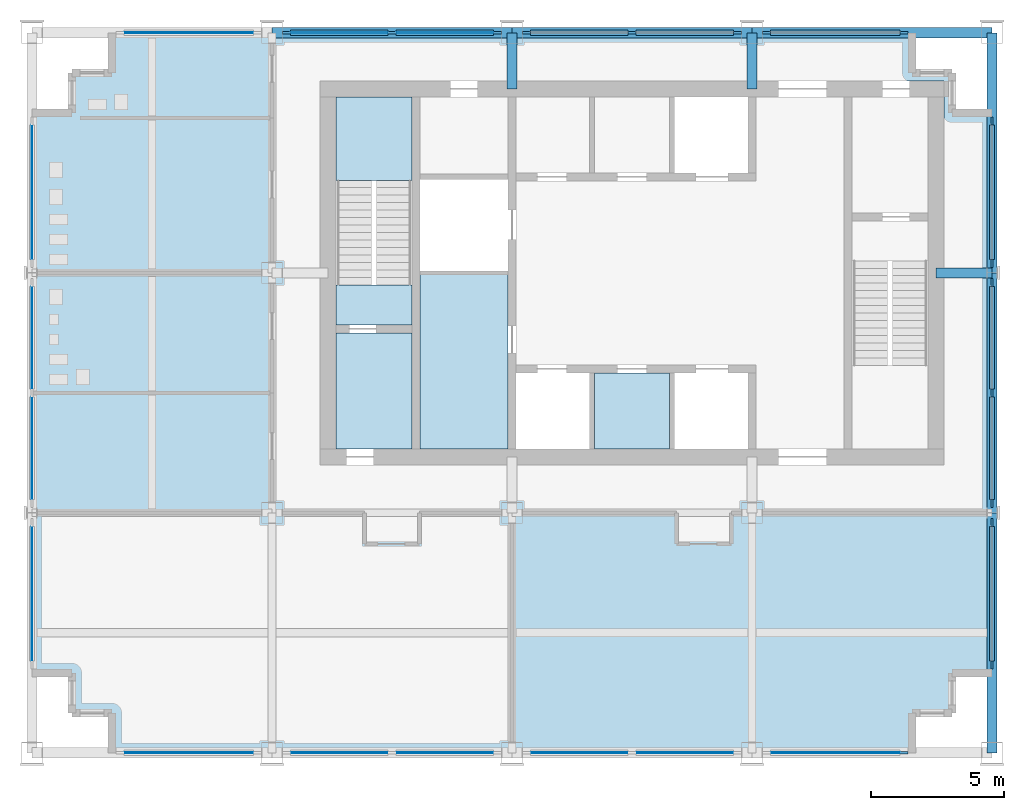
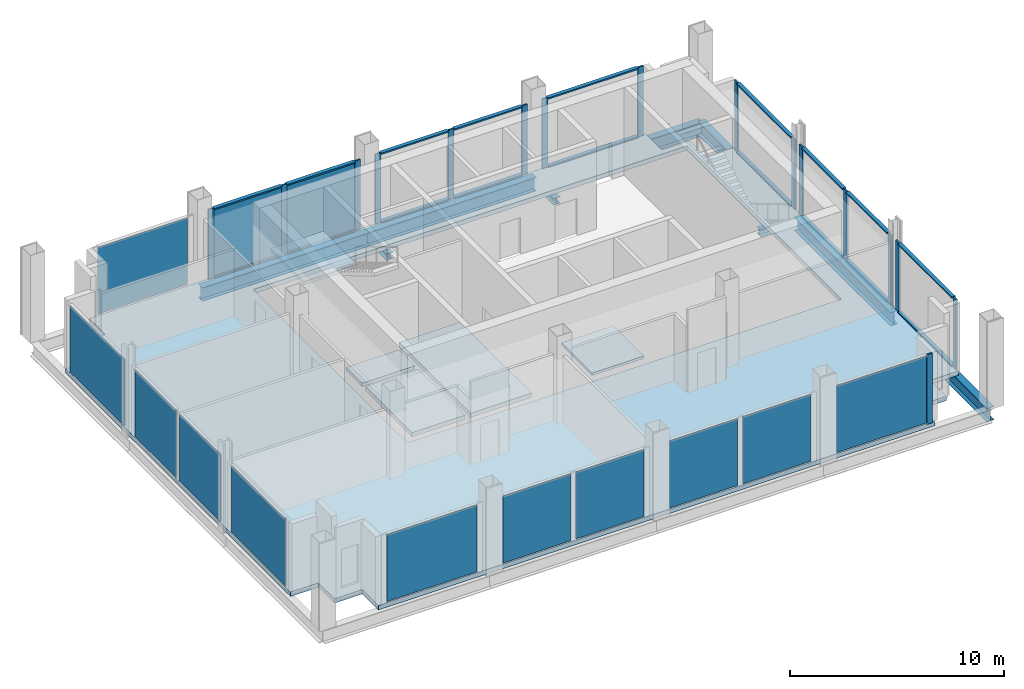
# One storey, part 2 of 7: 37 members, 13 plates, 6 beams, 6 slabs, 15 elements without a shape of their own.
"""IFC4 building model written with IfcOpenShell, lengths in metres."""

from ifc_helpers import new_model, si_unit, direction, frame, origin, origin_2d, place, context, subcontext, project, spatial, polyline, rectangle, i_section, outline, extrude, material, layer, layer_set, material_profile, profile_set, type_object, element, aggregate, save


model = new_model("IFC4")

# Units and contexts
model_context = context("Model", 3, precision=1e-05, world=origin(), true_north=direction((0.0, 1.0)))
body_context = subcontext(model_context, "Body", "Model", "MODEL_VIEW")
ifc_project = project(units=[si_unit("LENGTHUNIT", "METRE"), si_unit("AREAUNIT", "SQUARE_METRE"), si_unit("VOLUMEUNIT", "CUBIC_METRE"), si_unit("PLANEANGLEUNIT", "RADIAN"), si_unit("MASSUNIT", "GRAM", prefix="KILO")], contexts=[model_context])

# Site, building, storey
site_placement = place(None, origin())
site = spatial("IfcSite", under=ifc_project, at=site_placement, CompositionType="ELEMENT")
building_placement = place(site_placement, origin())
building = spatial("IfcBuilding", under=site, at=building_placement, Name="Loomwork Tower", CompositionType="ELEMENT")
storey_placement = place(building_placement, frame((0.0, 0.0, 269.800048828125)))
storey = spatial("IfcBuildingStorey", under=building, at=storey_placement, Name="L74", CompositionType="ELEMENT", Elevation=269.800048828125)

# Members
ifc_material_1 = material(Name="Steel ASTM A992", Category="steel")
ifc_material_profile_1 = material_profile(ifc_material_1, i_section(OverallWidth=0.373291015625, OverallDepth=0.373291015625, WebThickness=0.016357421875, FlangeThickness=0.026123046875, at=origin_2d()), Name="W14x132")
ifc_profile_set_1 = profile_set([ifc_material_profile_1], Name="Steel ASTM A992")
member_type_1 = type_object("IfcMemberType", Name="CORE LINK STRUT W14x132", PredefinedType="STRUT", material=ifc_profile_set_1)
for number, where, z_axis, x_axis, name in (
    (1, (18.0, 27.0, -0.436767578125), (0.0, -1.0, 0.0), (1.0, 0.0, 0.0), "Core link strut G/4-18.000,24.900 L74"),
    (2, (27.0, 27.0, -0.436767578125), (0.0, -1.0, 0.0), (1.0, 0.0, 0.0), "Core link strut G/5-27.000,24.900 L74"),
    (3, (36.0, 18.0, -0.436767578125), (-1.0, 0.0, 0.0), (0.0, -1.0, 0.0), "Core link strut F/6-33.900,18.000 L74"),
):
    element("IfcMember", number, at=place(storey_placement, frame(where, z_axis=z_axis, x_axis=x_axis)), inside=storey, type_object=member_type_1, Name=name, PredefinedType="STRUT", context=body_context, shape_type="SweptSolid", body=[
        extrude(i_section(OverallWidth=0.373291015625, OverallDepth=0.373291015625, WebThickness=0.016357421875, FlangeThickness=0.026123046875, at=origin_2d()), origin(), (0.0, 0.0, 1.0), 2.10009765625),
    ])

# Beams
ifc_material_2 = material(Name="Steel ASTM A992", Category="steel")
ifc_material_profile_2 = material_profile(ifc_material_2, i_section(OverallWidth=0.381103515625, OverallDepth=0.77978515625, WebThickness=0.01806640625, FlangeThickness=0.0302734375, at=origin_2d()), Name="W30x191")
ifc_profile_set_2 = profile_set([ifc_material_profile_2], Name="Steel ASTM A992")
beam_type = type_object("IfcBeamType", Name="SPANDREL GIRDER W30x191", PredefinedType="SPANDREL", material=ifc_profile_set_2)
for number, where, z_axis, x_axis, name in (
    (4, (9.0, 27.0, -0.639892578125), (1.0, 0.0, 0.0), (0.0, 1.0, 0.0), "Spandrel Girder G/3-G/4 L74"),
    (5, (18.0, 27.0, -0.639892578125), (1.0, 0.0, 0.0), (0.0, 1.0, 0.0), "Spandrel Girder G/4-G/5 L74"),
    (6, (27.0, 27.0, -0.639892578125), (1.0, 0.0, 0.0), (0.0, 1.0, 0.0), "Spandrel Girder G/5-G/6 L74"),
    (7, (36.0, 0.0, -0.639892578125), (0.0, 1.0, 0.0), (-1.0, 0.0, 0.0), "Spandrel Girder D/6-E/6 L74"),
    (8, (36.0, 9.0, -0.639892578125), (0.0, 1.0, 0.0), (-1.0, 0.0, 0.0), "Spandrel Girder E/6-F/6 L74"),
    (9, (36.0, 18.0, -0.639892578125), (0.0, 1.0, 0.0), (-1.0, 0.0, 0.0), "Spandrel Girder F/6-G/6 L74"),
):
    element("IfcBeam", number, at=place(storey_placement, frame(where, z_axis=z_axis, x_axis=x_axis)), inside=storey, type_object=beam_type, Name=name, PredefinedType="SPANDREL", context=body_context, shape_type="SweptSolid", body=[
        extrude(i_section(OverallWidth=0.381103515625, OverallDepth=0.77978515625, WebThickness=0.01806640625, FlangeThickness=0.0302734375, at=origin_2d()), origin(), (0.0, 0.0, 1.0), 9.0),
    ])

# Curtain wall, member
ifc_material_3 = material(Name="Aluminium curtain wall frame", Category="aluminium")
curtain_wall_type = type_object("IfcCurtainWallType", Name="Sky bar glazing", PredefinedType="NOTDEFINED", material=ifc_material_3)
curtain_wall_1_placement = place(storey_placement, origin())
curtain_wall_1 = element("IfcCurtainWall", 10, at=curtain_wall_1_placement, inside=storey, type_object=curtain_wall_type, Name="Sky bar glazing cw/S-27", PredefinedType="NOTDEFINED")
ifc_material_4 = material(Name="Aluminium curtain wall frame", Category="aluminium")
ifc_material_profile_3 = material_profile(ifc_material_4, rectangle(XDim=0.080078125, YDim=0.300048828125, at=origin_2d()), Name="AL 80x300")
ifc_profile_set_3 = profile_set([ifc_material_profile_3], Name="Aluminium curtain wall frame")
member_type_2 = type_object("IfcMemberType", Name="Sky bar glazing mullion", PredefinedType="MULLION", material=ifc_profile_set_3)
member_1_placement = place(storey_placement, frame((32.699951171875, 0.0, 0.0), z_axis=(0.0, 0.0, 1.0), x_axis=(0.0, 1.0, 0.0)))
member_1 = element("IfcMember", 11, at=member_1_placement, type_object=member_type_2, Name="CW5 mullion 2", PredefinedType="MULLION", context=body_context, shape_type="SweptSolid", body=[
    extrude(rectangle(XDim=0.080078125, YDim=0.300048828125, at=origin_2d()), origin(), (0.0, 0.0, 1.0), 3.97021484375),
])

# Curtain wall, members
curtain_wall_2_placement = place(storey_placement, origin())
curtain_wall_2 = element("IfcCurtainWall", 12, at=curtain_wall_2_placement, inside=storey, type_object=curtain_wall_type, Name="Sky bar glazing cw/N-9", PredefinedType="NOTDEFINED")
member_2_placement = place(storey_placement, frame((17.449951171875, 27.0, 0.0), z_axis=(0.0, 0.0, 1.0), x_axis=(0.0, -1.0, 0.0)))
member_2 = element("IfcMember", 13, at=member_2_placement, type_object=member_type_2, Name="CW5 mullion 1", PredefinedType="MULLION", context=body_context, shape_type="SweptSolid", body=[
    extrude(rectangle(XDim=0.080078125, YDim=0.300048828125, at=origin_2d()), origin(), (0.0, 0.0, 1.0), 3.97021484375),
])
member_3_placement = place(storey_placement, frame((13.5, 27.0, 0.0), z_axis=(0.0, 0.0, 1.0), x_axis=(0.0, -1.0, 0.0)))
member_3 = element("IfcMember", 14, at=member_3_placement, type_object=member_type_2, Name="CW5 mullion 2", PredefinedType="MULLION", context=body_context, shape_type="SweptSolid", body=[
    extrude(rectangle(XDim=0.080078125, YDim=0.300048828125, at=origin_2d()), origin(), (0.0, 0.0, 1.0), 3.97021484375),
])
member_4_placement = place(storey_placement, frame((9.550048828125, 27.0, 0.0), z_axis=(0.0, 0.0, 1.0), x_axis=(0.0, -1.0, 0.0)))
member_4 = element("IfcMember", 15, at=member_4_placement, type_object=member_type_2, Name="CW5 mullion 3", PredefinedType="MULLION", context=body_context, shape_type="SweptSolid", body=[
    extrude(rectangle(XDim=0.080078125, YDim=0.300048828125, at=origin_2d()), origin(), (0.0, 0.0, 1.0), 3.97021484375),
])

curtain_wall_3_placement = place(storey_placement, origin())
curtain_wall_3 = element("IfcCurtainWall", 16, at=curtain_wall_3_placement, inside=storey, type_object=curtain_wall_type, Name="Sky bar glazing cw/N-18", PredefinedType="NOTDEFINED")
member_5_placement = place(storey_placement, frame((26.449951171875, 27.0, 0.0), z_axis=(0.0, 0.0, 1.0), x_axis=(0.0, -1.0, 0.0)))
member_5 = element("IfcMember", 17, at=member_5_placement, type_object=member_type_2, Name="CW5 mullion 1", PredefinedType="MULLION", context=body_context, shape_type="SweptSolid", body=[
    extrude(rectangle(XDim=0.080078125, YDim=0.300048828125, at=origin_2d()), origin(), (0.0, 0.0, 1.0), 3.97021484375),
])
member_6_placement = place(storey_placement, frame((22.5, 27.0, 0.0), z_axis=(0.0, 0.0, 1.0), x_axis=(0.0, -1.0, 0.0)))
member_6 = element("IfcMember", 18, at=member_6_placement, type_object=member_type_2, Name="CW5 mullion 2", PredefinedType="MULLION", context=body_context, shape_type="SweptSolid", body=[
    extrude(rectangle(XDim=0.080078125, YDim=0.300048828125, at=origin_2d()), origin(), (0.0, 0.0, 1.0), 3.97021484375),
])
member_7_placement = place(storey_placement, frame((18.550048828125, 27.0, 0.0), z_axis=(0.0, 0.0, 1.0), x_axis=(0.0, -1.0, 0.0)))
member_7 = element("IfcMember", 19, at=member_7_placement, type_object=member_type_2, Name="CW5 mullion 3", PredefinedType="MULLION", context=body_context, shape_type="SweptSolid", body=[
    extrude(rectangle(XDim=0.080078125, YDim=0.300048828125, at=origin_2d()), origin(), (0.0, 0.0, 1.0), 3.97021484375),
])

curtain_wall_4_placement = place(storey_placement, origin())
curtain_wall_4 = element("IfcCurtainWall", 20, at=curtain_wall_4_placement, inside=storey, type_object=curtain_wall_type, Name="Sky bar glazing cw/N-27", PredefinedType="NOTDEFINED")
member_8_placement = place(storey_placement, frame((32.699951171875, 27.0, 0.0), z_axis=(0.0, 0.0, 1.0), x_axis=(0.0, -1.0, 0.0)))
member_8 = element("IfcMember", 21, at=member_8_placement, type_object=member_type_2, Name="CW5 mullion 1", PredefinedType="MULLION", context=body_context, shape_type="SweptSolid", body=[
    extrude(rectangle(XDim=0.080078125, YDim=0.300048828125, at=origin_2d()), origin(), (0.0, 0.0, 1.0), 3.97021484375),
])
member_9_placement = place(storey_placement, frame((27.550048828125, 27.0, 0.0), z_axis=(0.0, 0.0, 1.0), x_axis=(0.0, -1.0, 0.0)))
member_9 = element("IfcMember", 22, at=member_9_placement, type_object=member_type_2, Name="CW5 mullion 2", PredefinedType="MULLION", context=body_context, shape_type="SweptSolid", body=[
    extrude(rectangle(XDim=0.080078125, YDim=0.300048828125, at=origin_2d()), origin(), (0.0, 0.0, 1.0), 3.97021484375),
])

curtain_wall_5_placement = place(storey_placement, origin())
curtain_wall_5 = element("IfcCurtainWall", 23, at=curtain_wall_5_placement, inside=storey, type_object=curtain_wall_type, Name="Sky bar glazing cw/E-0", PredefinedType="NOTDEFINED")
member_10_placement = place(storey_placement, frame((36.0, 3.300048828125, 0.0), z_axis=(0.0, 0.0, 1.0), x_axis=(-1.0, 0.0, 0.0)))
member_10 = element("IfcMember", 24, at=member_10_placement, type_object=member_type_2, Name="CW5 mullion 1", PredefinedType="MULLION", context=body_context, shape_type="SweptSolid", body=[
    extrude(rectangle(XDim=0.080078125, YDim=0.300048828125, at=origin_2d()), origin(), (0.0, 0.0, 1.0), 3.97021484375),
])
member_11_placement = place(storey_placement, frame((36.0, 8.6455078125, 0.0), z_axis=(0.0, 0.0, 1.0), x_axis=(-1.0, 0.0, 0.0)))
member_11 = element("IfcMember", 25, at=member_11_placement, type_object=member_type_2, Name="CW5 mullion 2", PredefinedType="MULLION", context=body_context, shape_type="SweptSolid", body=[
    extrude(rectangle(XDim=0.080078125, YDim=0.300048828125, at=origin_2d()), origin(), (0.0, 0.0, 1.0), 3.97021484375),
])

curtain_wall_6_placement = place(storey_placement, origin())
curtain_wall_6 = element("IfcCurtainWall", 26, at=curtain_wall_6_placement, inside=storey, type_object=curtain_wall_type, Name="Sky bar glazing cw/E-9", PredefinedType="NOTDEFINED")
member_12_placement = place(storey_placement, frame((36.0, 9.3544921875, 0.0), z_axis=(0.0, 0.0, 1.0), x_axis=(-1.0, 0.0, 0.0)))
member_12 = element("IfcMember", 27, at=member_12_placement, type_object=member_type_2, Name="CW5 mullion 1", PredefinedType="MULLION", context=body_context, shape_type="SweptSolid", body=[
    extrude(rectangle(XDim=0.080078125, YDim=0.300048828125, at=origin_2d()), origin(), (0.0, 0.0, 1.0), 3.97021484375),
])
member_13_placement = place(storey_placement, frame((36.0, 13.5, 0.0), z_axis=(0.0, 0.0, 1.0), x_axis=(-1.0, 0.0, 0.0)))
member_13 = element("IfcMember", 28, at=member_13_placement, type_object=member_type_2, Name="CW5 mullion 2", PredefinedType="MULLION", context=body_context, shape_type="SweptSolid", body=[
    extrude(rectangle(XDim=0.080078125, YDim=0.300048828125, at=origin_2d()), origin(), (0.0, 0.0, 1.0), 3.97021484375),
])
member_14_placement = place(storey_placement, frame((36.0, 17.6455078125, 0.0), z_axis=(0.0, 0.0, 1.0), x_axis=(-1.0, 0.0, 0.0)))
member_14 = element("IfcMember", 29, at=member_14_placement, type_object=member_type_2, Name="CW5 mullion 3", PredefinedType="MULLION", context=body_context, shape_type="SweptSolid", body=[
    extrude(rectangle(XDim=0.080078125, YDim=0.300048828125, at=origin_2d()), origin(), (0.0, 0.0, 1.0), 3.97021484375),
])

curtain_wall_7_placement = place(storey_placement, origin())
curtain_wall_7 = element("IfcCurtainWall", 30, at=curtain_wall_7_placement, inside=storey, type_object=curtain_wall_type, Name="Sky bar glazing cw/E-18", PredefinedType="NOTDEFINED")
member_15_placement = place(storey_placement, frame((36.0, 18.3544921875, 0.0), z_axis=(0.0, 0.0, 1.0), x_axis=(-1.0, 0.0, 0.0)))
member_15 = element("IfcMember", 31, at=member_15_placement, type_object=member_type_2, Name="CW5 mullion 1", PredefinedType="MULLION", context=body_context, shape_type="SweptSolid", body=[
    extrude(rectangle(XDim=0.080078125, YDim=0.300048828125, at=origin_2d()), origin(), (0.0, 0.0, 1.0), 3.97021484375),
])
member_16_placement = place(storey_placement, frame((36.0, 23.699951171875, 0.0), z_axis=(0.0, 0.0, 1.0), x_axis=(-1.0, 0.0, 0.0)))
member_16 = element("IfcMember", 32, at=member_16_placement, type_object=member_type_2, Name="CW5 mullion 2", PredefinedType="MULLION", context=body_context, shape_type="SweptSolid", body=[
    extrude(rectangle(XDim=0.080078125, YDim=0.300048828125, at=origin_2d()), origin(), (0.0, 0.0, 1.0), 3.97021484375),
])

# Member
ifc_material_5 = material(Name="Aluminium curtain wall frame", Category="aluminium")
ifc_material_profile_4 = material_profile(ifc_material_5, rectangle(XDim=0.199951171875, YDim=0.080078125, at=origin_2d()), Name="AL 80x200")
ifc_profile_set_4 = profile_set([ifc_material_profile_4], Name="Aluminium curtain wall frame")
member_type_3 = type_object("IfcMemberType", Name="Sky bar glazing transom", PredefinedType="USERDEFINED", material=ifc_profile_set_4)
member_17_placement = place(storey_placement, frame((17.300048828125, 27.0, 0.0400390625), z_axis=(-1.0, 0.0, 0.0), x_axis=(0.0, -1.0, 0.0)))
member_17 = element("IfcMember", 33, at=member_17_placement, type_object=member_type_3, Name="CW5 transom 1.1", ObjectType="TRANSOM", PredefinedType="USERDEFINED", context=body_context, shape_type="SweptSolid", body=[
    extrude(rectangle(XDim=0.199951171875, YDim=0.080078125, at=origin_2d()), origin(), (0.0, 0.0, 1.0), 3.650146484375),
])

member_18_placement = place(storey_placement, frame((17.300048828125, 27.0, 3.93017578125), z_axis=(-1.0, 0.0, 0.0), x_axis=(0.0, -1.0, 0.0)))
member_18 = element("IfcMember", 34, at=member_18_placement, type_object=member_type_3, Name="CW5 transom 1.2", ObjectType="TRANSOM", PredefinedType="USERDEFINED", context=body_context, shape_type="SweptSolid", body=[
    extrude(rectangle(XDim=0.199951171875, YDim=0.080078125, at=origin_2d()), origin(), (0.0, 0.0, 1.0), 3.650146484375),
])

member_19_placement = place(storey_placement, frame((13.35009765625, 27.0, 0.0400390625), z_axis=(-1.0, 0.0, 0.0), x_axis=(0.0, -1.0, 0.0)))
member_19 = element("IfcMember", 35, at=member_19_placement, type_object=member_type_3, Name="CW5 transom 2.1", ObjectType="TRANSOM", PredefinedType="USERDEFINED", context=body_context, shape_type="SweptSolid", body=[
    extrude(rectangle(XDim=0.199951171875, YDim=0.080078125, at=origin_2d()), origin(), (0.0, 0.0, 1.0), 3.650146484375),
])

member_20_placement = place(storey_placement, frame((13.35009765625, 27.0, 3.93017578125), z_axis=(-1.0, 0.0, 0.0), x_axis=(0.0, -1.0, 0.0)))
member_20 = element("IfcMember", 36, at=member_20_placement, type_object=member_type_3, Name="CW5 transom 2.2", ObjectType="TRANSOM", PredefinedType="USERDEFINED", context=body_context, shape_type="SweptSolid", body=[
    extrude(rectangle(XDim=0.199951171875, YDim=0.080078125, at=origin_2d()), origin(), (0.0, 0.0, 1.0), 3.650146484375),
])

member_21_placement = place(storey_placement, frame((26.300048828125, 27.0, 0.0400390625), z_axis=(-1.0, 0.0, 0.0), x_axis=(0.0, -1.0, 0.0)))
member_21 = element("IfcMember", 37, at=member_21_placement, type_object=member_type_3, Name="CW5 transom 1.1", ObjectType="TRANSOM", PredefinedType="USERDEFINED", context=body_context, shape_type="SweptSolid", body=[
    extrude(rectangle(XDim=0.199951171875, YDim=0.080078125, at=origin_2d()), origin(), (0.0, 0.0, 1.0), 3.650146484375),
])

member_22_placement = place(storey_placement, frame((26.300048828125, 27.0, 3.93017578125), z_axis=(-1.0, 0.0, 0.0), x_axis=(0.0, -1.0, 0.0)))
member_22 = element("IfcMember", 38, at=member_22_placement, type_object=member_type_3, Name="CW5 transom 1.2", ObjectType="TRANSOM", PredefinedType="USERDEFINED", context=body_context, shape_type="SweptSolid", body=[
    extrude(rectangle(XDim=0.199951171875, YDim=0.080078125, at=origin_2d()), origin(), (0.0, 0.0, 1.0), 3.650146484375),
])

member_23_placement = place(storey_placement, frame((22.35009765625, 27.0, 0.0400390625), z_axis=(-1.0, 0.0, 0.0), x_axis=(0.0, -1.0, 0.0)))
member_23 = element("IfcMember", 39, at=member_23_placement, type_object=member_type_3, Name="CW5 transom 2.1", ObjectType="TRANSOM", PredefinedType="USERDEFINED", context=body_context, shape_type="SweptSolid", body=[
    extrude(rectangle(XDim=0.199951171875, YDim=0.080078125, at=origin_2d()), origin(), (0.0, 0.0, 1.0), 3.650146484375),
])

member_24_placement = place(storey_placement, frame((22.35009765625, 27.0, 3.93017578125), z_axis=(-1.0, 0.0, 0.0), x_axis=(0.0, -1.0, 0.0)))
member_24 = element("IfcMember", 40, at=member_24_placement, type_object=member_type_3, Name="CW5 transom 2.2", ObjectType="TRANSOM", PredefinedType="USERDEFINED", context=body_context, shape_type="SweptSolid", body=[
    extrude(rectangle(XDim=0.199951171875, YDim=0.080078125, at=origin_2d()), origin(), (0.0, 0.0, 1.0), 3.650146484375),
])

aggregate(curtain_wall_3, [member_5, member_6, member_7, member_21, member_22, member_23, member_24])

member_25_placement = place(storey_placement, frame((32.550048828125, 27.0, 0.0400390625), z_axis=(-1.0, 0.0, 0.0), x_axis=(0.0, -1.0, 0.0)))
member_25 = element("IfcMember", 41, at=member_25_placement, type_object=member_type_3, Name="CW5 transom 1.1", ObjectType="TRANSOM", PredefinedType="USERDEFINED", context=body_context, shape_type="SweptSolid", body=[
    extrude(rectangle(XDim=0.199951171875, YDim=0.080078125, at=origin_2d()), origin(), (0.0, 0.0, 1.0), 4.85009765625),
])

member_26_placement = place(storey_placement, frame((32.550048828125, 27.0, 3.93017578125), z_axis=(-1.0, 0.0, 0.0), x_axis=(0.0, -1.0, 0.0)))
member_26 = element("IfcMember", 42, at=member_26_placement, type_object=member_type_3, Name="CW5 transom 1.2", ObjectType="TRANSOM", PredefinedType="USERDEFINED", context=body_context, shape_type="SweptSolid", body=[
    extrude(rectangle(XDim=0.199951171875, YDim=0.080078125, at=origin_2d()), origin(), (0.0, 0.0, 1.0), 4.85009765625),
])

aggregate(curtain_wall_4, [member_8, member_9, member_25, member_26])

member_27_placement = place(storey_placement, frame((36.0, 3.449951171875, 0.0400390625), z_axis=(0.0, 1.0, 0.0), x_axis=(-1.0, 0.0, 0.0)))
member_27 = element("IfcMember", 43, at=member_27_placement, type_object=member_type_3, Name="CW5 transom 1.1", ObjectType="TRANSOM", PredefinedType="USERDEFINED", context=body_context, shape_type="SweptSolid", body=[
    extrude(rectangle(XDim=0.199951171875, YDim=0.080078125, at=origin_2d()), origin(), (0.0, 0.0, 1.0), 5.045654296875),
])

member_28_placement = place(storey_placement, frame((36.0, 3.449951171875, 3.93017578125), z_axis=(0.0, 1.0, 0.0), x_axis=(-1.0, 0.0, 0.0)))
member_28 = element("IfcMember", 44, at=member_28_placement, type_object=member_type_3, Name="CW5 transom 1.2", ObjectType="TRANSOM", PredefinedType="USERDEFINED", context=body_context, shape_type="SweptSolid", body=[
    extrude(rectangle(XDim=0.199951171875, YDim=0.080078125, at=origin_2d()), origin(), (0.0, 0.0, 1.0), 5.045654296875),
])

aggregate(curtain_wall_5, [member_10, member_11, member_27, member_28])

member_29_placement = place(storey_placement, frame((36.0, 9.50439453125, 0.0400390625), z_axis=(0.0, 1.0, 0.0), x_axis=(-1.0, 0.0, 0.0)))
member_29 = element("IfcMember", 45, at=member_29_placement, type_object=member_type_3, Name="CW5 transom 1.1", ObjectType="TRANSOM", PredefinedType="USERDEFINED", context=body_context, shape_type="SweptSolid", body=[
    extrude(rectangle(XDim=0.199951171875, YDim=0.080078125, at=origin_2d()), origin(), (0.0, 0.0, 1.0), 3.845703125),
])

member_30_placement = place(storey_placement, frame((36.0, 9.50439453125, 3.93017578125), z_axis=(0.0, 1.0, 0.0), x_axis=(-1.0, 0.0, 0.0)))
member_30 = element("IfcMember", 46, at=member_30_placement, type_object=member_type_3, Name="CW5 transom 1.2", ObjectType="TRANSOM", PredefinedType="USERDEFINED", context=body_context, shape_type="SweptSolid", body=[
    extrude(rectangle(XDim=0.199951171875, YDim=0.080078125, at=origin_2d()), origin(), (0.0, 0.0, 1.0), 3.845703125),
])

member_31_placement = place(storey_placement, frame((36.0, 13.64990234375, 0.0400390625), z_axis=(0.0, 1.0, 0.0), x_axis=(-1.0, 0.0, 0.0)))
member_31 = element("IfcMember", 47, at=member_31_placement, type_object=member_type_3, Name="CW5 transom 2.1", ObjectType="TRANSOM", PredefinedType="USERDEFINED", context=body_context, shape_type="SweptSolid", body=[
    extrude(rectangle(XDim=0.199951171875, YDim=0.080078125, at=origin_2d()), origin(), (0.0, 0.0, 1.0), 3.845703125),
])

member_32_placement = place(storey_placement, frame((36.0, 13.64990234375, 3.93017578125), z_axis=(0.0, 1.0, 0.0), x_axis=(-1.0, 0.0, 0.0)))
member_32 = element("IfcMember", 48, at=member_32_placement, type_object=member_type_3, Name="CW5 transom 2.2", ObjectType="TRANSOM", PredefinedType="USERDEFINED", context=body_context, shape_type="SweptSolid", body=[
    extrude(rectangle(XDim=0.199951171875, YDim=0.080078125, at=origin_2d()), origin(), (0.0, 0.0, 1.0), 3.845703125),
])

aggregate(curtain_wall_6, [member_12, member_13, member_14, member_29, member_30, member_31, member_32])

member_33_placement = place(storey_placement, frame((36.0, 18.50439453125, 0.0400390625), z_axis=(0.0, 1.0, 0.0), x_axis=(-1.0, 0.0, 0.0)))
member_33 = element("IfcMember", 49, at=member_33_placement, type_object=member_type_3, Name="CW5 transom 1.1", ObjectType="TRANSOM", PredefinedType="USERDEFINED", context=body_context, shape_type="SweptSolid", body=[
    extrude(rectangle(XDim=0.199951171875, YDim=0.080078125, at=origin_2d()), origin(), (0.0, 0.0, 1.0), 5.045654296875),
])

member_34_placement = place(storey_placement, frame((36.0, 18.50439453125, 3.93017578125), z_axis=(0.0, 1.0, 0.0), x_axis=(-1.0, 0.0, 0.0)))
member_34 = element("IfcMember", 50, at=member_34_placement, type_object=member_type_3, Name="CW5 transom 1.2", ObjectType="TRANSOM", PredefinedType="USERDEFINED", context=body_context, shape_type="SweptSolid", body=[
    extrude(rectangle(XDim=0.199951171875, YDim=0.080078125, at=origin_2d()), origin(), (0.0, 0.0, 1.0), 5.045654296875),
])

aggregate(curtain_wall_7, [member_15, member_16, member_33, member_34])

# Slabs
ifc_material_6 = material(Name="Concrete 5000 psi (34 MPa) on composite metal deck", Category="concrete")
ifc_layer_1 = layer(ifc_material_6, 0.25)
ifc_layer_set_1 = layer_set([ifc_layer_1], Name="Floor slab 250")
slab_type_1 = type_object("IfcSlabType", Name="Floor slab 250", PredefinedType="FLOOR", material=ifc_layer_set_1)
slab_1_placement = place(storey_placement, frame((0.0, 0.0, -0.25)))
element("IfcSlab", 51, at=slab_1_placement, inside=storey, type_object=slab_type_1, Name="Floor slab L74", PredefinedType="FLOOR", context=body_context, shape_type="SweptSolid", body=[
    extrude(outline(polyline([(3.0, 1.5), (1.5, 1.5), (1.5, 3.0), (0.0, 3.0), (0.0, 24.0), (1.5, 24.0), (1.5, 25.5), (3.0, 25.5), (3.0, 27.0), (33.0, 27.0), (33.0, 25.5), (34.5, 25.5), (34.5, 24.0), (36.0, 24.0), (36.0, 3.0), (34.5, 3.0), (34.5, 1.5), (33.0, 1.5), (33.0, 0.0), (3.0, 0.0), (3.0, 1.5)]), holes=[polyline([(10.800048828125, 11.39990234375), (10.800048828125, 11.39990234375), (10.800048828125, 10.800048828125), (34.199951171875, 10.800048828125), (34.199951171875, 11.39990234375), (34.199951171875, 11.39990234375), (34.199951171875, 24.60009765625), (34.199951171875, 25.199951171875), (10.800048828125, 25.199951171875), (10.800048828125, 24.60009765625), (10.800048828125, 11.39990234375)])]), origin(), (0.0, 0.0, 1.0), 0.25),
])
slab_2_placement = place(storey_placement, frame((0.0, 0.0, -0.25)))
element("IfcSlab", 52, at=slab_2_placement, inside=storey, type_object=slab_type_1, Name="Floor slab L74", PredefinedType="FLOOR", context=body_context, shape_type="SweptSolid", body=[
    extrude(outline(polyline([(14.550048828125, 11.39990234375), (14.550048828125, 18.074951171875), (17.85009765625, 18.074951171875), (17.85009765625, 11.39990234375), (14.550048828125, 11.39990234375)])), origin(), (0.0, 0.0, 1.0), 0.25),
])
slab_3_placement = place(storey_placement, frame((0.0, 0.0, -0.25)))
element("IfcSlab", 53, at=slab_3_placement, inside=storey, type_object=slab_type_1, Name="Floor slab L74", PredefinedType="FLOOR", context=body_context, shape_type="SweptSolid", body=[
    extrude(outline(polyline([(14.25, 15.75), (14.25, 11.39990234375), (11.39990234375, 11.39990234375), (11.39990234375, 15.75), (14.25, 15.75)])), origin(), (0.0, 0.0, 1.0), 0.25),
])
ifc_material_7 = material(Name="Concrete 5000 psi (34 MPa) on composite metal deck", Category="concrete")
ifc_layer_2 = layer(ifc_material_7, 0.14990234375)
ifc_layer_set_2 = layer_set([ifc_layer_2], Name="Shaft infill floor 150")
slab_type_2 = type_object("IfcSlabType", Name="Shaft infill floor 150", PredefinedType="FLOOR", material=ifc_layer_set_2)
slab_4_placement = place(storey_placement, frame((0.0, 0.0, -0.150146484375)))
element("IfcSlab", 54, at=slab_4_placement, inside=storey, type_object=slab_type_2, Name="Shaft infill floor S2 L74", PredefinedType="FLOOR", context=body_context, shape_type="SweptSolid", body=[
    extrude(outline(polyline([(21.10009765625, 11.39990234375), (23.89990234375, 11.39990234375), (23.89990234375, 14.25), (21.10009765625, 14.25), (21.10009765625, 11.39990234375)])), origin(), (0.0, 0.0, 1.0), 0.150146484375),
])

# Curtain wall, plate
curtain_wall_8_placement = place(storey_placement, origin())
curtain_wall_8 = element("IfcCurtainWall", 55, at=curtain_wall_8_placement, inside=storey, type_object=curtain_wall_type, Name="Sky bar glazing cw/S-0", PredefinedType="NOTDEFINED")
ifc_material_8 = material(Name="Clear insulated glass", Category="glass")
ifc_layer_3 = layer(ifc_material_8, 0.031982421875)
ifc_layer_set_3 = layer_set([ifc_layer_3], Name="Sky bar glazing panel")
plate_type = type_object("IfcPlateType", Name="Sky bar glazing panel", PredefinedType="CURTAIN_PANEL", material=ifc_layer_set_3)
plate_1_placement = place(storey_placement, frame((5.875, 0.0, 0.080078125), z_axis=(0.0, 0.0, 1.0), x_axis=(1.0, 0.0, 0.0)))
plate_1 = element("IfcPlate", 56, at=plate_1_placement, type_object=plate_type, Name="CW5 panel 1.1", PredefinedType="CURTAIN_PANEL", context=body_context, shape_type="SweptSolid", body=[
    extrude(rectangle(XDim=4.85009765625, YDim=0.031982421875, at=origin_2d()), origin(), (0.0, 0.0, 1.0), 3.810302734375),
])
aggregate(curtain_wall_8, [plate_1])

# Curtain wall, plates
curtain_wall_9_placement = place(storey_placement, origin())
curtain_wall_9 = element("IfcCurtainWall", 57, at=curtain_wall_9_placement, inside=storey, type_object=curtain_wall_type, Name="Sky bar glazing cw/S-9", PredefinedType="NOTDEFINED")
plate_2_placement = place(storey_placement, frame((11.52490234375, 0.0, 0.080078125), z_axis=(0.0, 0.0, 1.0), x_axis=(1.0, 0.0, 0.0)))
plate_2 = element("IfcPlate", 58, at=plate_2_placement, type_object=plate_type, Name="CW5 panel 1.1", PredefinedType="CURTAIN_PANEL", context=body_context, shape_type="SweptSolid", body=[
    extrude(rectangle(XDim=3.64990234375, YDim=0.031982421875, at=origin_2d()), origin(), (0.0, 0.0, 1.0), 3.810302734375),
])
plate_3_placement = place(storey_placement, frame((15.47509765625, 0.0, 0.080078125), z_axis=(0.0, 0.0, 1.0), x_axis=(1.0, 0.0, 0.0)))
plate_3 = element("IfcPlate", 59, at=plate_3_placement, type_object=plate_type, Name="CW5 panel 2.1", PredefinedType="CURTAIN_PANEL", context=body_context, shape_type="SweptSolid", body=[
    extrude(rectangle(XDim=3.64990234375, YDim=0.031982421875, at=origin_2d()), origin(), (0.0, 0.0, 1.0), 3.810302734375),
])
aggregate(curtain_wall_9, [plate_2, plate_3])

curtain_wall_10_placement = place(storey_placement, origin())
curtain_wall_10 = element("IfcCurtainWall", 60, at=curtain_wall_10_placement, inside=storey, type_object=curtain_wall_type, Name="Sky bar glazing cw/S-18", PredefinedType="NOTDEFINED")
plate_4_placement = place(storey_placement, frame((20.52490234375, 0.0, 0.080078125), z_axis=(0.0, 0.0, 1.0), x_axis=(1.0, 0.0, 0.0)))
plate_4 = element("IfcPlate", 61, at=plate_4_placement, type_object=plate_type, Name="CW5 panel 1.1", PredefinedType="CURTAIN_PANEL", context=body_context, shape_type="SweptSolid", body=[
    extrude(rectangle(XDim=3.64990234375, YDim=0.031982421875, at=origin_2d()), origin(), (0.0, 0.0, 1.0), 3.810302734375),
])
plate_5_placement = place(storey_placement, frame((24.47509765625, 0.0, 0.080078125), z_axis=(0.0, 0.0, 1.0), x_axis=(1.0, 0.0, 0.0)))
plate_5 = element("IfcPlate", 62, at=plate_5_placement, type_object=plate_type, Name="CW5 panel 2.1", PredefinedType="CURTAIN_PANEL", context=body_context, shape_type="SweptSolid", body=[
    extrude(rectangle(XDim=3.64990234375, YDim=0.031982421875, at=origin_2d()), origin(), (0.0, 0.0, 1.0), 3.810302734375),
])
aggregate(curtain_wall_10, [plate_4, plate_5])

# Plate
plate_6_placement = place(storey_placement, frame((30.125, 0.0, 0.080078125), z_axis=(0.0, 0.0, 1.0), x_axis=(1.0, 0.0, 0.0)))
plate_6 = element("IfcPlate", 63, at=plate_6_placement, type_object=plate_type, Name="CW5 panel 1.1", PredefinedType="CURTAIN_PANEL", context=body_context, shape_type="SweptSolid", body=[
    extrude(rectangle(XDim=4.85009765625, YDim=0.031982421875, at=origin_2d()), origin(), (0.0, 0.0, 1.0), 3.810302734375),
])

aggregate(curtain_wall_1, [member_1, plate_6])

# Curtain wall, plate
curtain_wall_11_placement = place(storey_placement, origin())
curtain_wall_11 = element("IfcCurtainWall", 64, at=curtain_wall_11_placement, inside=storey, type_object=curtain_wall_type, Name="Sky bar glazing cw/N-0", PredefinedType="NOTDEFINED")
plate_7_placement = place(storey_placement, frame((5.875, 27.0, 0.080078125), z_axis=(0.0, 0.0, 1.0), x_axis=(-1.0, 0.0, 0.0)))
plate_7 = element("IfcPlate", 65, at=plate_7_placement, type_object=plate_type, Name="CW5 panel 1.1", PredefinedType="CURTAIN_PANEL", context=body_context, shape_type="SweptSolid", body=[
    extrude(rectangle(XDim=4.85009765625, YDim=0.031982421875, at=origin_2d()), origin(), (0.0, 0.0, 1.0), 3.810302734375),
])
aggregate(curtain_wall_11, [plate_7])

# Plate
plate_8_placement = place(storey_placement, frame((15.47509765625, 27.0, 0.080078125), z_axis=(0.0, 0.0, 1.0), x_axis=(-1.0, 0.0, 0.0)))
plate_8 = element("IfcPlate", 66, at=plate_8_placement, type_object=plate_type, Name="CW5 panel 1.1", PredefinedType="CURTAIN_PANEL", context=body_context, shape_type="SweptSolid", body=[
    extrude(rectangle(XDim=3.64990234375, YDim=0.031982421875, at=origin_2d()), origin(), (0.0, 0.0, 1.0), 3.810302734375),
])

plate_9_placement = place(storey_placement, frame((11.52490234375, 27.0, 0.080078125), z_axis=(0.0, 0.0, 1.0), x_axis=(-1.0, 0.0, 0.0)))
plate_9 = element("IfcPlate", 67, at=plate_9_placement, type_object=plate_type, Name="CW5 panel 2.1", PredefinedType="CURTAIN_PANEL", context=body_context, shape_type="SweptSolid", body=[
    extrude(rectangle(XDim=3.64990234375, YDim=0.031982421875, at=origin_2d()), origin(), (0.0, 0.0, 1.0), 3.810302734375),
])

aggregate(curtain_wall_2, [member_2, member_3, member_4, member_17, member_18, plate_8, member_19, member_20, plate_9])

# Curtain wall, plate
curtain_wall_12_placement = place(storey_placement, origin())
curtain_wall_12 = element("IfcCurtainWall", 68, at=curtain_wall_12_placement, inside=storey, type_object=curtain_wall_type, Name="Sky bar glazing cw/W-0", PredefinedType="NOTDEFINED")
plate_10_placement = place(storey_placement, frame((0.0, 5.97265625, 0.080078125), z_axis=(0.0, 0.0, 1.0), x_axis=(0.0, -1.0, 0.0)))
plate_10 = element("IfcPlate", 69, at=plate_10_placement, type_object=plate_type, Name="CW5 panel 1.1", PredefinedType="CURTAIN_PANEL", context=body_context, shape_type="SweptSolid", body=[
    extrude(rectangle(XDim=5.04541015625, YDim=0.031982421875, at=origin_2d()), origin(), (0.0, 0.0, 1.0), 3.810302734375),
])
aggregate(curtain_wall_12, [plate_10])

# Curtain wall, plates
curtain_wall_13_placement = place(storey_placement, origin())
curtain_wall_13 = element("IfcCurtainWall", 70, at=curtain_wall_13_placement, inside=storey, type_object=curtain_wall_type, Name="Sky bar glazing cw/W-9", PredefinedType="NOTDEFINED")
plate_11_placement = place(storey_placement, frame((0.0, 15.57275390625, 0.080078125), z_axis=(0.0, 0.0, 1.0), x_axis=(0.0, -1.0, 0.0)))
plate_11 = element("IfcPlate", 71, at=plate_11_placement, type_object=plate_type, Name="CW5 panel 1.1", PredefinedType="CURTAIN_PANEL", context=body_context, shape_type="SweptSolid", body=[
    extrude(rectangle(XDim=3.845458984375, YDim=0.031982421875, at=origin_2d()), origin(), (0.0, 0.0, 1.0), 3.810302734375),
])
plate_12_placement = place(storey_placement, frame((0.0, 11.42724609375, 0.080078125), z_axis=(0.0, 0.0, 1.0), x_axis=(0.0, -1.0, 0.0)))
plate_12 = element("IfcPlate", 72, at=plate_12_placement, type_object=plate_type, Name="CW5 panel 2.1", PredefinedType="CURTAIN_PANEL", context=body_context, shape_type="SweptSolid", body=[
    extrude(rectangle(XDim=3.845458984375, YDim=0.031982421875, at=origin_2d()), origin(), (0.0, 0.0, 1.0), 3.810302734375),
])
aggregate(curtain_wall_13, [plate_11, plate_12])

# Curtain wall, plate
curtain_wall_14_placement = place(storey_placement, origin())
curtain_wall_14 = element("IfcCurtainWall", 73, at=curtain_wall_14_placement, inside=storey, type_object=curtain_wall_type, Name="Sky bar glazing cw/W-18", PredefinedType="NOTDEFINED")
plate_13_placement = place(storey_placement, frame((0.0, 21.02734375, 0.080078125), z_axis=(0.0, 0.0, 1.0), x_axis=(0.0, -1.0, 0.0)))
plate_13 = element("IfcPlate", 74, at=plate_13_placement, type_object=plate_type, Name="CW5 panel 1.1", PredefinedType="CURTAIN_PANEL", context=body_context, shape_type="SweptSolid", body=[
    extrude(rectangle(XDim=5.04541015625, YDim=0.031982421875, at=origin_2d()), origin(), (0.0, 0.0, 1.0), 3.810302734375),
])
aggregate(curtain_wall_14, [plate_13])

# Stair, slabs
ifc_material_9 = material(Name="Concrete 5000 psi (34 MPa) precast stair", Category="concrete")
stair_type = type_object("IfcStairType", Name="Stair ST-A 30 risers 2850 wide", PredefinedType="HALF_TURN_STAIR", material=ifc_material_9)
stair_placement = place(storey_placement, origin())
stair = element("IfcStair", 75, at=stair_placement, inside=storey, type_object=stair_type, Name="Stair A L74", PredefinedType="HALF_TURN_STAIR")
ifc_material_10 = material(Name="Concrete 5000 psi (34 MPa)", Category="concrete")
ifc_layer_4 = layer(ifc_material_10, 0.199951171875)
ifc_layer_set_4 = layer_set([ifc_layer_4], Name="Stair landing 200")
slab_type_3 = type_object("IfcSlabType", Name="Stair landing 200", PredefinedType="LANDING", material=ifc_layer_set_4)
slab_5_placement = place(storey_placement, frame((0.0, 0.0, -0.199951171875)))
slab_5 = element("IfcSlab", 76, at=slab_5_placement, type_object=slab_type_3, Name="ST-A landing 1", PredefinedType="LANDING", context=body_context, shape_type="SweptSolid", body=[
    extrude(outline(polyline([(11.39990234375, 16.050048828125), (14.25, 16.050048828125), (14.25, 17.550048828125), (11.39990234375, 17.550048828125), (11.39990234375, 16.050048828125)])), origin(), (0.0, 0.0, 1.0), 0.199951171875),
])
slab_6_placement = place(storey_placement, frame((0.0, 0.0, 2.300048828125)))
slab_6 = element("IfcSlab", 77, at=slab_6_placement, type_object=slab_type_3, Name="ST-A landing 2", PredefinedType="LANDING", context=body_context, shape_type="SweptSolid", body=[
    extrude(outline(polyline([(11.39990234375, 21.469970703125), (14.25, 21.469970703125), (14.25, 24.60009765625), (11.39990234375, 24.60009765625), (11.39990234375, 21.469970703125)])), origin(), (0.0, 0.0, 1.0), 0.199951171875),
])
aggregate(stair, [slab_5, slab_6])

save(model, "model.ifc")
